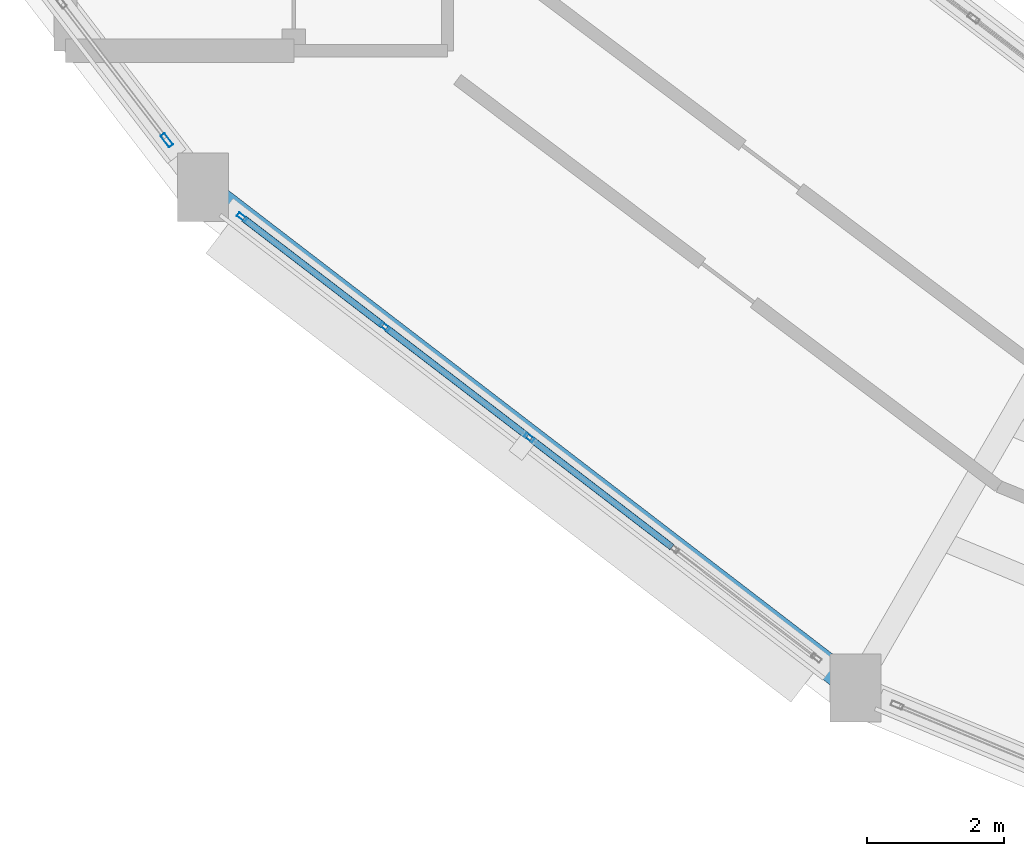
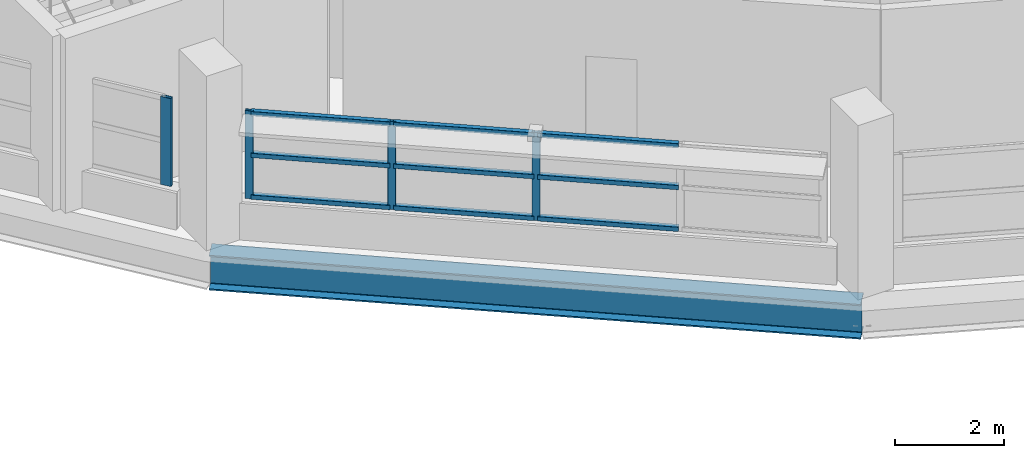
# One storey, part 15 of 108: 13 members, 1 beam, 2 elements without a shape of their own.
"""IFC4 building model written with IfcOpenShell, lengths in metres."""

from ifc_helpers import new_model, si_unit, direction, frame, origin, origin_2d, place, context, subcontext, project, spatial, hollow_rectangle, i_section, extrude, material, layer, layer_set, material_profile, profile_set, type_object, element, aggregate, save


model = new_model("IFC4")

# Units and contexts
model_context = context("Model", 3, precision=1e-05, world=origin(), true_north=direction((0.0, 1.0)))
body_context = subcontext(model_context, "Body", "Model", "MODEL_VIEW")
ifc_project = project(units=[si_unit("LENGTHUNIT", "METRE"), si_unit("AREAUNIT", "SQUARE_METRE"), si_unit("VOLUMEUNIT", "CUBIC_METRE"), si_unit("PLANEANGLEUNIT", "RADIAN"), si_unit("MASSUNIT", "GRAM", prefix="KILO")], contexts=[model_context])

# Site, building, storey
site_placement = place(None, origin())
site = spatial("IfcSite", under=ifc_project, at=site_placement, CompositionType="ELEMENT")
building_placement = place(site_placement, origin())
building = spatial("IfcBuilding", under=site, at=building_placement, Name="Vespera Passage Community Centre", CompositionType="ELEMENT")
storey_placement = place(building_placement, frame((0.0, 0.0, 12.60009765625)))
storey = spatial("IfcBuildingStorey", under=building, at=storey_placement, Name="L03", CompositionType="ELEMENT", Elevation=12.60009765625)

# Beam
ifc_material_1 = material(Name="Steel ASTM A992 Grade 50", Category="steel")
ifc_material_profile_1 = material_profile(ifc_material_1, i_section(OverallWidth=0.382080078125, OverallDepth=0.779296875, WebThickness=0.01806640625, FlangeThickness=0.030029296875, FilletRadius=0.0166015625, at=origin_2d()), Name="W30X191")
ifc_profile_set_1 = profile_set([ifc_material_profile_1], Name="Steel ASTM A992 Grade 50")
beam_type = type_object("IfcBeamType", Name="BM-SP-W30X191E", PredefinedType="SPANDREL", material=ifc_profile_set_1)
beam_placement = place(storey_placement, frame((45.40234375, 32.90234375, -0.789794921875), z_axis=(0.793351934501, -0.608763261066, 0.0), x_axis=(0.608763261066, 0.793351934501, 0.0)))
element("IfcBeam", 1, at=beam_placement, inside=storey, type_object=beam_type, Name="V4 L03 Outer Spandrel 15", PredefinedType="SPANDREL", context=body_context, shape_type="SweptSolid", body=[
    extrude(i_section(OverallWidth=0.382080078125, OverallDepth=0.779296875, WebThickness=0.01806640625, FlangeThickness=0.030029296875, FilletRadius=0.0166015625, at=origin_2d()), origin(), (0.0, 0.0, 1.0), 12.034423828125),
])

# Curtain wall, members
ifc_material_2 = material(Name="Anodized aluminium 6063-T6", Category="aluminium")
ifc_layer_1 = layer(ifc_material_2, 0.159912109375)
ifc_layer_set_1 = layer_set([ifc_layer_1], Name="Anodized aluminium 6063-T6")
curtain_wall_type_1 = type_object("IfcCurtainWallType", Name="CW-37E", PredefinedType="NOTDEFINED", material=ifc_layer_set_1)
curtain_wall_1_placement = place(storey_placement, origin())
curtain_wall_1 = element("IfcCurtainWall", 2, at=curtain_wall_1_placement, inside=storey, type_object=curtain_wall_type_1, Name="V4 L03 Outer Ribbon Curtain Wall 15", PredefinedType="NOTDEFINED")
ifc_material_3 = material(Name="Anodized aluminium 6063-T6", Category="aluminium")
ifc_material_profile_2 = material_profile(ifc_material_3, hollow_rectangle(XDim=0.06494140625, YDim=0.14990234375, WallThickness=0.00390625, InnerFilletRadius=0.001953125, OuterFilletRadius=0.00390625, at=origin_2d()), Name="ALU150X65X4")
ifc_profile_set_2 = profile_set([ifc_material_profile_2], Name="Anodized aluminium 6063-T6")
member_type_1 = type_object("IfcMemberType", Name="MB-CWM-150E", PredefinedType="MULLION", material=ifc_profile_set_2)
member_1_placement = place(storey_placement, frame((50.17626953125, 29.2392578125, 0.81982421875), z_axis=(0.0, 0.0, 1.0), x_axis=(-0.608771824991, -0.793345363065, 0.0)))
member_1 = element("IfcMember", 3, at=member_1_placement, type_object=member_type_1, Name="CW-37E mullion 3", PredefinedType="MULLION", context=body_context, shape_type="SweptSolid", body=[
    extrude(hollow_rectangle(XDim=0.06494140625, YDim=0.14990234375, WallThickness=0.00390625, InnerFilletRadius=0.001953125, OuterFilletRadius=0.00390625, at=origin_2d()), origin(), (0.0, 0.0, 1.0), 1.965576171875),
])
member_2_placement = place(storey_placement, frame((48.06201171875, 30.861572265625, 0.81982421875), z_axis=(0.0, 0.0, 1.0), x_axis=(-0.608771824991, -0.793345363065, 0.0)))
member_2 = element("IfcMember", 4, at=member_2_placement, type_object=member_type_1, Name="CW-37E mullion 4", PredefinedType="MULLION", context=body_context, shape_type="SweptSolid", body=[
    extrude(hollow_rectangle(XDim=0.06494140625, YDim=0.14990234375, WallThickness=0.00390625, InnerFilletRadius=0.001953125, OuterFilletRadius=0.00390625, at=origin_2d()), origin(), (0.0, 0.0, 1.0), 1.965576171875),
])
member_3_placement = place(storey_placement, frame((45.973876953125, 32.464111328125, 0.81982421875), z_axis=(0.0, 0.0, 1.0), x_axis=(-0.608771824991, -0.793345363065, 0.0)))
member_3 = element("IfcMember", 5, at=member_3_placement, type_object=member_type_1, Name="CW-37E mullion 5", PredefinedType="MULLION", context=body_context, shape_type="SweptSolid", body=[
    extrude(hollow_rectangle(XDim=0.06494140625, YDim=0.14990234375, WallThickness=0.00390625, InnerFilletRadius=0.001953125, OuterFilletRadius=0.00390625, at=origin_2d()), origin(), (0.0, 0.0, 1.0), 1.965576171875),
])

# Curtain wall, member
ifc_material_4 = material(Name="Anodized aluminium 6063-T6", Category="aluminium")
ifc_layer_2 = layer(ifc_material_4, 0.159912109375)
ifc_layer_set_2 = layer_set([ifc_layer_2], Name="Anodized aluminium 6063-T6")
curtain_wall_type_2 = type_object("IfcCurtainWallType", Name="CW-50E", PredefinedType="NOTDEFINED", material=ifc_layer_set_2)
curtain_wall_2_placement = place(storey_placement, origin())
curtain_wall_2 = element("IfcCurtainWall", 6, at=curtain_wall_2_placement, inside=storey, type_object=curtain_wall_type_2, Name="V4 L03 Outer Ribbon Curtain Wall 14", PredefinedType="NOTDEFINED")
ifc_material_5 = material(Name="Anodized aluminium 6063-T6", Category="aluminium")
ifc_material_profile_3 = material_profile(ifc_material_5, hollow_rectangle(XDim=0.074951171875, YDim=0.2099609375, WallThickness=0.0048828125, InnerFilletRadius=0.00244140625, OuterFilletRadius=0.0048828125, at=origin_2d()), Name="ALU210X75X5")
ifc_profile_set_3 = profile_set([ifc_material_profile_3], Name="Anodized aluminium 6063-T6")
member_type_2 = type_object("IfcMemberType", Name="MB-CWM-210E", PredefinedType="MULLION", material=ifc_profile_set_3)
member_4_placement = place(storey_placement, frame((44.873779296875, 33.591552734375, 0.81982421875), z_axis=(0.0, 0.0, 1.0), x_axis=(-0.793350257139, -0.608765447029, 0.0)))
member_4 = element("IfcMember", 7, at=member_4_placement, type_object=member_type_2, Name="CW-50E mullion 1", PredefinedType="MULLION", context=body_context, shape_type="SweptSolid", body=[
    extrude(hollow_rectangle(XDim=0.074951171875, YDim=0.2099609375, WallThickness=0.0048828125, InnerFilletRadius=0.00244140625, OuterFilletRadius=0.0048828125, at=origin_2d()), origin(), (0.0, 0.0, 1.0), 1.965576171875),
])
aggregate(curtain_wall_2, [member_4])

# Member
ifc_material_6 = material(Name="Anodized aluminium 6063-T6", Category="aluminium")
ifc_material_profile_4 = material_profile(ifc_material_6, hollow_rectangle(XDim=0.10009765625, YDim=0.10009765625, WallThickness=0.00390625, InnerFilletRadius=0.001953125, OuterFilletRadius=0.00390625, at=origin_2d()), Name="ALU100X100X4")
ifc_profile_set_4 = profile_set([ifc_material_profile_4], Name="Anodized aluminium 6063-T6")
member_type_3 = type_object("IfcMemberType", Name="MB-CWT-100E", PredefinedType="USERDEFINED", material=ifc_profile_set_4)
member_5_placement = place(storey_placement, frame((52.264404296875, 27.63671875, 0.869873046875), z_axis=(-0.793325147434, 0.608798168894, 0.0), x_axis=(-0.608798168894, -0.793325147434, 0.0)))
member_5 = element("IfcMember", 8, at=member_5_placement, type_object=member_type_3, Name="CW-37E transom 2.1", ObjectType="TRANSOM", PredefinedType="USERDEFINED", context=body_context, shape_type="SweptSolid", body=[
    extrude(hollow_rectangle(XDim=0.10009765625, YDim=0.10009765625, WallThickness=0.00390625, InnerFilletRadius=0.001953125, OuterFilletRadius=0.00390625, at=origin_2d()), origin(), (0.0, 0.0, 1.0), 2.599853515625),
])

member_6_placement = place(storey_placement, frame((52.264404296875, 27.63671875, 1.802734375), z_axis=(-0.793325147434, 0.608798168894, 0.0), x_axis=(-0.608798168894, -0.793325147434, 0.0)))
member_6 = element("IfcMember", 9, at=member_6_placement, type_object=member_type_3, Name="CW-37E transom 2.2", ObjectType="TRANSOM", PredefinedType="USERDEFINED", context=body_context, shape_type="SweptSolid", body=[
    extrude(hollow_rectangle(XDim=0.10009765625, YDim=0.10009765625, WallThickness=0.00390625, InnerFilletRadius=0.001953125, OuterFilletRadius=0.00390625, at=origin_2d()), origin(), (0.0, 0.0, 1.0), 2.599853515625),
])

member_7_placement = place(storey_placement, frame((52.264404296875, 27.63671875, 2.735595703125), z_axis=(-0.793325147434, 0.608798168894, 0.0), x_axis=(-0.608798168894, -0.793325147434, 0.0)))
member_7 = element("IfcMember", 10, at=member_7_placement, type_object=member_type_3, Name="CW-37E transom 2.3", ObjectType="TRANSOM", PredefinedType="USERDEFINED", context=body_context, shape_type="SweptSolid", body=[
    extrude(hollow_rectangle(XDim=0.10009765625, YDim=0.10009765625, WallThickness=0.00390625, InnerFilletRadius=0.001953125, OuterFilletRadius=0.00390625, at=origin_2d()), origin(), (0.0, 0.0, 1.0), 2.599853515625),
])

member_8_placement = place(storey_placement, frame((50.150390625, 29.259033203125, 0.869873046875), z_axis=(-0.793325147434, 0.608798168894, 0.0), x_axis=(-0.608798168894, -0.793325147434, 0.0)))
member_8 = element("IfcMember", 11, at=member_8_placement, type_object=member_type_3, Name="CW-37E transom 3.1", ObjectType="TRANSOM", PredefinedType="USERDEFINED", context=body_context, shape_type="SweptSolid", body=[
    extrude(hollow_rectangle(XDim=0.10009765625, YDim=0.10009765625, WallThickness=0.00390625, InnerFilletRadius=0.001953125, OuterFilletRadius=0.00390625, at=origin_2d()), origin(), (0.0, 0.0, 1.0), 2.599853515625),
])

member_9_placement = place(storey_placement, frame((50.150390625, 29.259033203125, 1.802734375), z_axis=(-0.793325147434, 0.608798168894, 0.0), x_axis=(-0.608798168894, -0.793325147434, 0.0)))
member_9 = element("IfcMember", 12, at=member_9_placement, type_object=member_type_3, Name="CW-37E transom 3.2", ObjectType="TRANSOM", PredefinedType="USERDEFINED", context=body_context, shape_type="SweptSolid", body=[
    extrude(hollow_rectangle(XDim=0.10009765625, YDim=0.10009765625, WallThickness=0.00390625, InnerFilletRadius=0.001953125, OuterFilletRadius=0.00390625, at=origin_2d()), origin(), (0.0, 0.0, 1.0), 2.599853515625),
])

member_10_placement = place(storey_placement, frame((50.150390625, 29.259033203125, 2.735595703125), z_axis=(-0.793325147434, 0.608798168894, 0.0), x_axis=(-0.608798168894, -0.793325147434, 0.0)))
member_10 = element("IfcMember", 13, at=member_10_placement, type_object=member_type_3, Name="CW-37E transom 3.3", ObjectType="TRANSOM", PredefinedType="USERDEFINED", context=body_context, shape_type="SweptSolid", body=[
    extrude(hollow_rectangle(XDim=0.10009765625, YDim=0.10009765625, WallThickness=0.00390625, InnerFilletRadius=0.001953125, OuterFilletRadius=0.00390625, at=origin_2d()), origin(), (0.0, 0.0, 1.0), 2.599853515625),
])

member_11_placement = place(storey_placement, frame((48.036376953125, 30.88134765625, 0.869873046875), z_axis=(-0.793344571237, 0.608772856893, 0.0), x_axis=(-0.608772856893, -0.793344571237, 0.0)))
member_11 = element("IfcMember", 14, at=member_11_placement, type_object=member_type_3, Name="CW-37E transom 4.1", ObjectType="TRANSOM", PredefinedType="USERDEFINED", context=body_context, shape_type="SweptSolid", body=[
    extrude(hollow_rectangle(XDim=0.10009765625, YDim=0.10009765625, WallThickness=0.00390625, InnerFilletRadius=0.001953125, OuterFilletRadius=0.00390625, at=origin_2d()), origin(), (0.0, 0.0, 1.0), 2.5673828125),
])

member_12_placement = place(storey_placement, frame((48.036376953125, 30.88134765625, 1.802734375), z_axis=(-0.793344571237, 0.608772856893, 0.0), x_axis=(-0.608772856893, -0.793344571237, 0.0)))
member_12 = element("IfcMember", 15, at=member_12_placement, type_object=member_type_3, Name="CW-37E transom 4.2", ObjectType="TRANSOM", PredefinedType="USERDEFINED", context=body_context, shape_type="SweptSolid", body=[
    extrude(hollow_rectangle(XDim=0.10009765625, YDim=0.10009765625, WallThickness=0.00390625, InnerFilletRadius=0.001953125, OuterFilletRadius=0.00390625, at=origin_2d()), origin(), (0.0, 0.0, 1.0), 2.5673828125),
])

member_13_placement = place(storey_placement, frame((48.036376953125, 30.88134765625, 2.735595703125), z_axis=(-0.793344571237, 0.608772856893, 0.0), x_axis=(-0.608772856893, -0.793344571237, 0.0)))
member_13 = element("IfcMember", 16, at=member_13_placement, type_object=member_type_3, Name="CW-37E transom 4.3", ObjectType="TRANSOM", PredefinedType="USERDEFINED", context=body_context, shape_type="SweptSolid", body=[
    extrude(hollow_rectangle(XDim=0.10009765625, YDim=0.10009765625, WallThickness=0.00390625, InnerFilletRadius=0.001953125, OuterFilletRadius=0.00390625, at=origin_2d()), origin(), (0.0, 0.0, 1.0), 2.5673828125),
])

aggregate(curtain_wall_1, [member_1, member_2, member_3, member_5, member_6, member_7, member_8, member_9, member_10, member_11, member_12, member_13])

save(model, "model.ifc")
